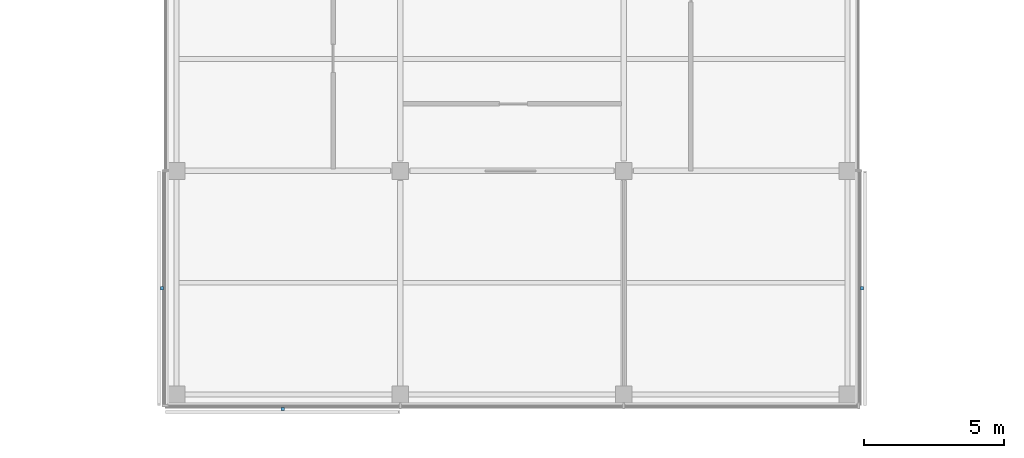
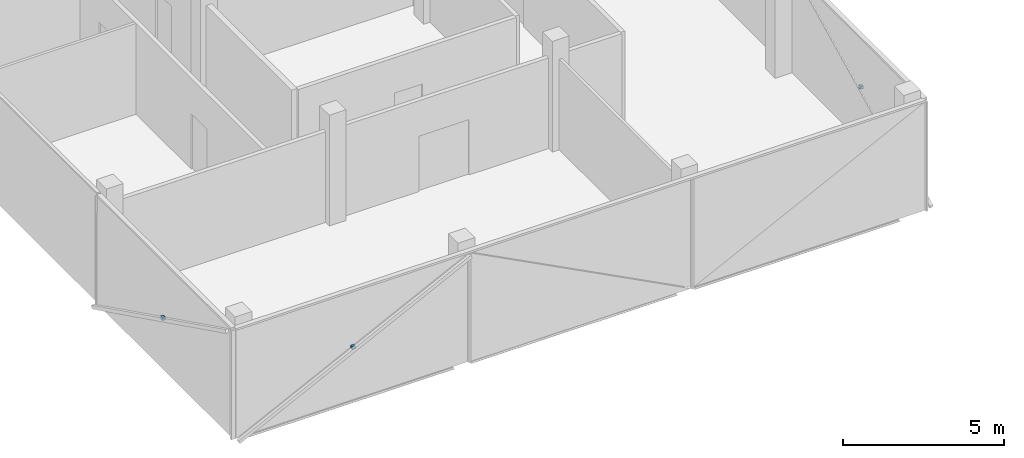
# One storey, part 14 of 16: 3 discrete accessories.
"""IFC4 building model written with IfcOpenShell, lengths in metres."""

from ifc_helpers import new_model, si_unit, direction, frame, origin, origin_2d, place, context, subcontext, project, spatial, rectangle, extrude, material, type_object, element, save


model = new_model("IFC4")

# Units and contexts
model_context = context("Model", 3, precision=1e-05, world=origin(), true_north=direction((0.0, 1.0)))
body_context = subcontext(model_context, "Body", "Model", "MODEL_VIEW")
ifc_project = project(units=[si_unit("LENGTHUNIT", "METRE"), si_unit("AREAUNIT", "SQUARE_METRE"), si_unit("VOLUMEUNIT", "CUBIC_METRE"), si_unit("PLANEANGLEUNIT", "RADIAN"), si_unit("MASSUNIT", "GRAM", prefix="KILO")], contexts=[model_context])

# Site, building, storey
site_placement = place(None, origin())
site = spatial("IfcSite", under=ifc_project, at=site_placement, CompositionType="ELEMENT")
building_placement = place(site_placement, origin())
building = spatial("IfcBuilding", under=site, at=building_placement, Name="Crosswind Convention Tower", CompositionType="ELEMENT")
storey_placement = place(building_placement, frame((0.0, 0.0, 295.5)))
storey = spatial("IfcBuildingStorey", under=building, at=storey_placement, Name="L64", CompositionType="ELEMENT", Elevation=295.5)

# Discrete accessories
ifc_material = material(Name="Stainless steel", Category="steel")
discrete_accessory_type = type_object("IfcDiscreteAccessoryType", Name="BAGUETTE BRACKET BK3", PredefinedType="BRACKET", material=ifc_material)
for number, where, z_axis, x_axis, name in (
    (1, (112.47412109375, 75.794921875, 1.704833984375), (0.0, 0.0, 1.0), (0.0, -1.0, 0.0), "BK3 baguette bracket"),
    (2, (116.794921875, 71.47412109375, 1.704833984375), (0.0, 0.0, 1.0), (1.0, 0.0, 0.0), "BK3 baguette bracket"),
    (3, (137.52587890625, 75.794921875, 1.704833984375), (0.0, 0.0, 1.0), (0.0, 1.0, 0.0), "BK3 baguette bracket"),
):
    element("IfcDiscreteAccessory", number, at=place(storey_placement, frame(where, z_axis=z_axis, x_axis=x_axis)), inside=storey, type_object=discrete_accessory_type, Name=name, PredefinedType="BRACKET", context=body_context, shape_type="SweptSolid", body=[
        extrude(rectangle(XDim=0.1201171875, YDim=0.10009765625, at=origin_2d()), origin(), (0.0, 0.0, 1.0), 0.1201171875),
    ])

save(model, "model.ifc")
